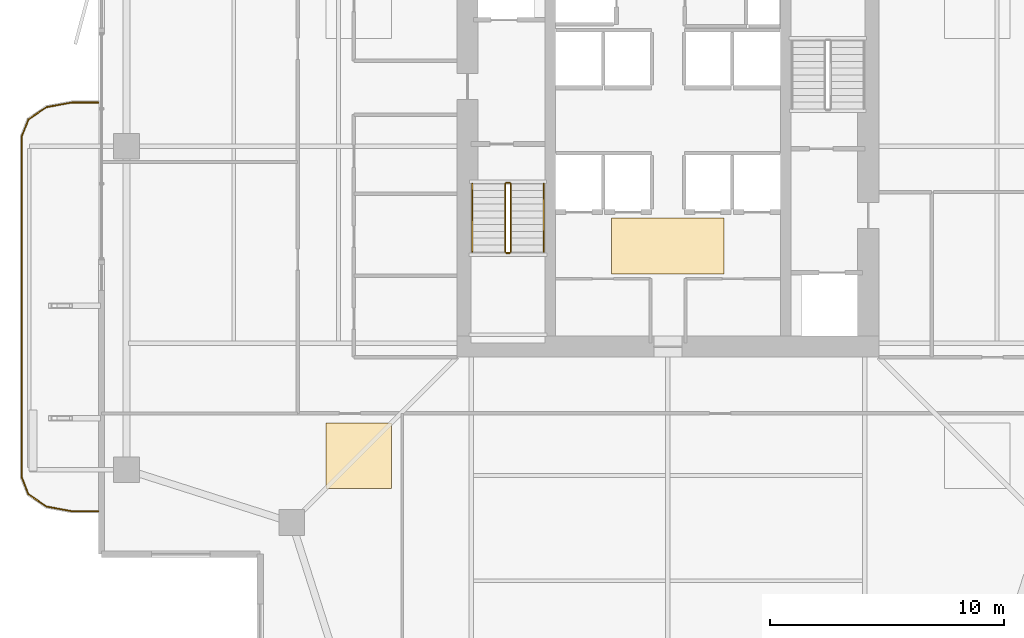
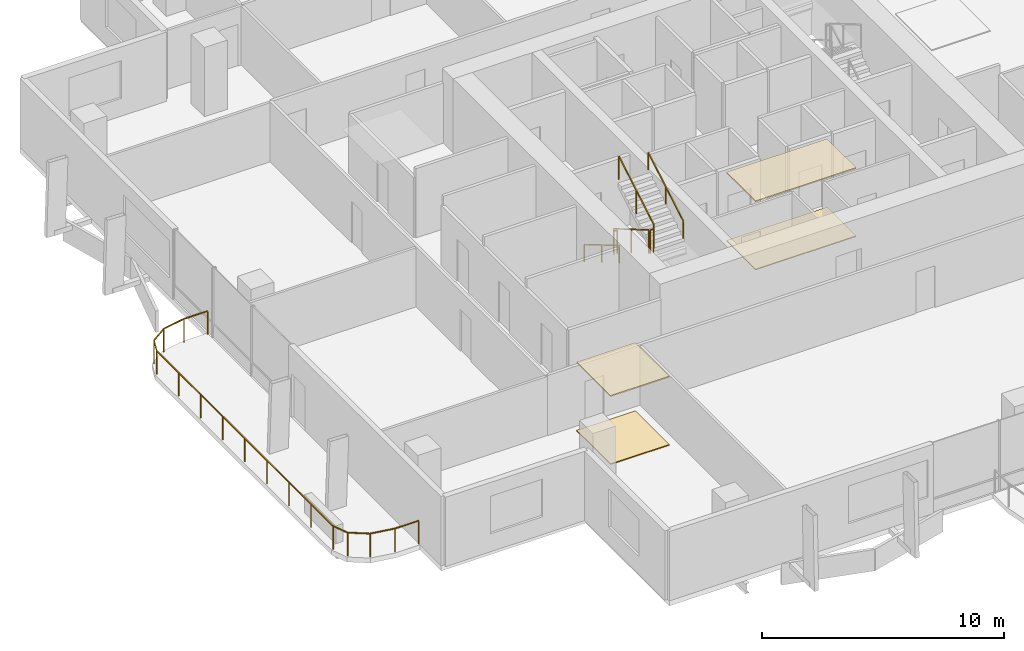
# One storey, part 22 of 24: 7 railings, 4 coverings.
"""IFC4 building model written with IfcOpenShell, lengths in metres."""

from ifc_helpers import new_model, si_unit, direction, frame, origin, origin_2d, place, context, subcontext, project, spatial, polyline, rectangle, outline, extrude, material, layer, layer_set, type_object, element, save


model = new_model("IFC4")

# Units and contexts
model_context = context("Model", 3, precision=1e-05, world=origin(), true_north=direction((0.0, 1.0)))
body_context = subcontext(model_context, "Body", "Model", "MODEL_VIEW")
ifc_project = project(units=[si_unit("LENGTHUNIT", "METRE"), si_unit("AREAUNIT", "SQUARE_METRE"), si_unit("VOLUMEUNIT", "CUBIC_METRE"), si_unit("PLANEANGLEUNIT", "RADIAN"), si_unit("MASSUNIT", "GRAM", prefix="KILO")], contexts=[model_context])

# Site, building, storey
site_placement = place(None, origin())
site = spatial("IfcSite", under=ifc_project, at=site_placement, CompositionType="ELEMENT")
building_placement = place(site_placement, origin())
building = spatial("IfcBuilding", under=site, at=building_placement, Name="Belovzor Exchange Tower", CompositionType="ELEMENT")
storey_placement = place(building_placement, frame((0.0, 0.0, 145.800048828125)))
storey = spatial("IfcBuildingStorey", under=building, at=storey_placement, Name="L35", CompositionType="ELEMENT", Elevation=145.800048828125)

# Railings
ifc_material_1 = material(Name="Stainless Steel Grade 304", Category="steel")
railing_type_1 = type_object("IfcRailingType", Name="Brushed Stainless Steel Stair Handrail 900", PredefinedType="HANDRAIL", material=ifc_material_1)
railing_1_placement = place(storey_placement, frame((20.449951171875, 27.199951171875, 0.17041015625)))
element("IfcRailing", 1, at=railing_1_placement, inside=storey, type_object=railing_type_1, Name="L35 ST-1 stair handrail 1", PredefinedType="HANDRAIL", context=body_context, shape_type="SweptSolid", body=[
    extrude(rectangle(XDim=0.048095703125, YDim=0.048095703125, at=origin_2d()), frame((0.0, 0.0, 0.8759765625), z_axis=(0.0, -0.86209462966, 0.506747323142), x_axis=(1.0, 0.0, 0.0)), (0.0, 0.0, 1.0), 3.36376953125),
    extrude(rectangle(XDim=0.0419921875, YDim=0.0419921875, at=origin_2d()), origin(), (0.0, 0.0, 1.0), 0.851806640625),
    extrude(rectangle(XDim=0.0419921875, YDim=0.0419921875, at=origin_2d()), frame((0.0, -1.449951171875, 0.852294921875)), (0.0, 0.0, 1.0), 0.851806640625),
    extrude(rectangle(XDim=0.0419921875, YDim=0.0419921875, at=origin_2d()), frame((0.0, -2.89990234375, 1.70458984375)), (0.0, 0.0, 1.0), 0.851806640625),
])
railing_2_placement = place(storey_placement, frame((23.5, 24.300048828125, 2.04541015625)))
element("IfcRailing", 2, at=railing_2_placement, inside=storey, type_object=railing_type_1, Name="L35 ST-1 stair handrail 2", PredefinedType="HANDRAIL", context=body_context, shape_type="SweptSolid", body=[
    extrude(rectangle(XDim=0.048095703125, YDim=0.048095703125, at=origin_2d()), frame((0.0, 0.0, 0.8759765625), z_axis=(0.0, 0.86209462966, 0.506747323142), x_axis=(-1.0, 0.0, 0.0)), (0.0, 0.0, 1.0), 3.36376953125),
    extrude(rectangle(XDim=0.0419921875, YDim=0.0419921875, at=origin_2d()), origin(), (0.0, 0.0, 1.0), 0.851806640625),
    extrude(rectangle(XDim=0.0419921875, YDim=0.0419921875, at=origin_2d()), frame((0.0, 1.449951171875, 0.852294921875)), (0.0, 0.0, 1.0), 0.851806640625),
    extrude(rectangle(XDim=0.0419921875, YDim=0.0419921875, at=origin_2d()), frame((0.0, 2.89990234375, 1.70458984375)), (0.0, 0.0, 1.0), 0.851806640625),
])
ifc_material_2 = material(Name="Stainless Steel and Laminated Safety Glass", Category="steel")
railing_type_2 = type_object("IfcRailingType", Name="Laminated Glass & Stainless Steel Balcony Balustrade 1200", PredefinedType="BALUSTRADE", material=ifc_material_2)
railing_3_placement = place(storey_placement, frame((4.489990234375, 30.669921875, 0.0)))
element("IfcRailing", 3, at=railing_3_placement, inside=storey, type_object=railing_type_2, Name="GR-1 Balcony Balustrade L35 West", PredefinedType="BALUSTRADE", context=body_context, shape_type="SweptSolid", body=[
    extrude(rectangle(XDim=0.048095703125, YDim=0.048095703125, at=origin_2d()), frame((0.0, 0.0, 1.17578125), z_axis=(-1.0, 0.0, 0.0), x_axis=(0.0, -1.0, 0.0)), (0.0, 0.0, 1.0), 1.133056640625),
    extrude(rectangle(XDim=0.048095703125, YDim=0.048095703125, at=origin_2d()), frame((-1.133056640625, 0.0, 1.17578125), z_axis=(-0.983644145941, -0.180122719713, 0.0), x_axis=(0.180122719713, -0.983644145941, 0.0)), (0.0, 0.0, 1.0), 1.09375),
    extrude(rectangle(XDim=0.048095703125, YDim=0.048095703125, at=origin_2d()), frame((-2.208984375, -0.197021484375, 1.17578125), z_axis=(-0.826614792125, -0.562768145367, 0.0), x_axis=(0.562768145367, -0.826614792125, 0.0)), (0.0, 0.0, 1.0), 0.9326171875),
    extrude(rectangle(XDim=0.048095703125, YDim=0.048095703125, at=origin_2d()), frame((-2.97998046875, -0.721923828125, 1.17578125), z_axis=(-0.365612923861, -0.930766990125, 0.0), x_axis=(0.930766990125, -0.365612923861, 0.0)), (0.0, 0.0, 1.0), 0.765869140625),
    extrude(rectangle(XDim=0.048095703125, YDim=0.048095703125, at=origin_2d()), frame((-3.260009765625, -1.434814453125, 1.17578125), z_axis=(0.0, -1.0, 0.0), x_axis=(1.0, 0.0, 0.0)), (0.0, 0.0, 1.0), 14.570068359375),
    extrude(rectangle(XDim=0.048095703125, YDim=0.048095703125, at=origin_2d()), frame((-3.260009765625, -16.0048828125, 1.17578125), z_axis=(0.365504480807, -0.930809580156, 0.0), x_axis=(0.930809580156, 0.365504480807, 0.0)), (0.0, 0.0, 1.0), 0.76611328125),
    extrude(rectangle(XDim=0.048095703125, YDim=0.048095703125, at=origin_2d()), frame((-2.97998046875, -16.718017578125, 1.17578125), z_axis=(0.826614792125, -0.562768145367, 0.0), x_axis=(0.562768145367, 0.826614792125, 0.0)), (0.0, 0.0, 1.0), 0.9326171875),
    extrude(rectangle(XDim=0.048095703125, YDim=0.048095703125, at=origin_2d()), frame((-2.208984375, -17.242919921875, 1.17578125), z_axis=(0.983644145941, -0.180122719713, 0.0), x_axis=(0.180122719713, 0.983644145941, 0.0)), (0.0, 0.0, 1.0), 1.09375),
    extrude(rectangle(XDim=0.048095703125, YDim=0.048095703125, at=origin_2d()), frame((-1.133056640625, -17.43994140625, 1.17578125), z_axis=(1.0, 0.0, 0.0), x_axis=(0.0, 1.0, 0.0)), (0.0, 0.0, 1.0), 1.133056640625),
    extrude(rectangle(XDim=0.0419921875, YDim=0.0419921875, at=origin_2d()), origin(), (0.0, 0.0, 1.0), 1.15185546875),
    extrude(rectangle(XDim=0.0419921875, YDim=0.0419921875, at=origin_2d()), frame((-1.133056640625, 0.0, 0.0)), (0.0, 0.0, 1.0), 1.15185546875),
    extrude(rectangle(XDim=0.0419921875, YDim=0.0419921875, at=origin_2d()), frame((-2.208984375, -0.197021484375, 0.0)), (0.0, 0.0, 1.0), 1.15185546875),
    extrude(rectangle(XDim=0.0419921875, YDim=0.0419921875, at=origin_2d()), frame((-2.97998046875, -0.721923828125, 0.0)), (0.0, 0.0, 1.0), 1.15185546875),
    extrude(rectangle(XDim=0.0419921875, YDim=0.0419921875, at=origin_2d()), frame((-3.260009765625, -1.434814453125, 0.0)), (0.0, 0.0, 1.0), 1.15185546875),
    extrude(rectangle(XDim=0.0419921875, YDim=0.0419921875, at=origin_2d()), frame((-3.260009765625, -3.256103515625, 0.0)), (0.0, 0.0, 1.0), 1.15185546875),
    extrude(rectangle(XDim=0.0419921875, YDim=0.0419921875, at=origin_2d()), frame((-3.260009765625, -5.077392578125, 0.0)), (0.0, 0.0, 1.0), 1.15185546875),
    extrude(rectangle(XDim=0.0419921875, YDim=0.0419921875, at=origin_2d()), frame((-3.260009765625, -6.898681640625, 0.0)), (0.0, 0.0, 1.0), 1.15185546875),
    extrude(rectangle(XDim=0.0419921875, YDim=0.0419921875, at=origin_2d()), frame((-3.260009765625, -8.7197265625, 0.0)), (0.0, 0.0, 1.0), 1.15185546875),
    extrude(rectangle(XDim=0.0419921875, YDim=0.0419921875, at=origin_2d()), frame((-3.260009765625, -10.541015625, 0.0)), (0.0, 0.0, 1.0), 1.15185546875),
    extrude(rectangle(XDim=0.0419921875, YDim=0.0419921875, at=origin_2d()), frame((-3.260009765625, -12.3623046875, 0.0)), (0.0, 0.0, 1.0), 1.15185546875),
    extrude(rectangle(XDim=0.0419921875, YDim=0.0419921875, at=origin_2d()), frame((-3.260009765625, -14.18359375, 0.0)), (0.0, 0.0, 1.0), 1.15185546875),
    extrude(rectangle(XDim=0.0419921875, YDim=0.0419921875, at=origin_2d()), frame((-3.260009765625, -16.0048828125, 0.0)), (0.0, 0.0, 1.0), 1.15185546875),
    extrude(rectangle(XDim=0.0419921875, YDim=0.0419921875, at=origin_2d()), frame((-2.97998046875, -16.718017578125, 0.0)), (0.0, 0.0, 1.0), 1.15185546875),
    extrude(rectangle(XDim=0.0419921875, YDim=0.0419921875, at=origin_2d()), frame((-2.208984375, -17.242919921875, 0.0)), (0.0, 0.0, 1.0), 1.15185546875),
    extrude(rectangle(XDim=0.0419921875, YDim=0.0419921875, at=origin_2d()), frame((-1.133056640625, -17.43994140625, 0.0)), (0.0, 0.0, 1.0), 1.15185546875),
    extrude(rectangle(XDim=0.0419921875, YDim=0.0419921875, at=origin_2d()), frame((0.0, -17.43994140625, 0.0)), (0.0, 0.0, 1.0), 1.15185546875),
])
ifc_material_3 = material(Name="Steel S355", Category="steel")
railing_type_3 = type_object("IfcRailingType", Name="Painted Steel Stairwell Guardrail 1200", PredefinedType="GUARDRAIL", material=ifc_material_3)
railing_4_placement = place(storey_placement, frame((21.85009765625, 27.199951171875, 0.17041015625)))
element("IfcRailing", 4, at=railing_4_placement, inside=storey, type_object=railing_type_3, Name="L35 ST-1 stair guard 1", PredefinedType="GUARDRAIL", context=body_context, shape_type="SweptSolid", body=[
    extrude(rectangle(XDim=0.048095703125, YDim=0.048095703125, at=origin_2d()), frame((0.0, 0.0, 1.17578125), z_axis=(0.0, -0.86209462966, 0.506747323142), x_axis=(1.0, 0.0, 0.0)), (0.0, 0.0, 1.0), 3.36376953125),
    extrude(rectangle(XDim=0.0419921875, YDim=0.0419921875, at=origin_2d()), origin(), (0.0, 0.0, 1.0), 1.15185546875),
    extrude(rectangle(XDim=0.0419921875, YDim=0.0419921875, at=origin_2d()), frame((0.0, -1.449951171875, 0.852294921875)), (0.0, 0.0, 1.0), 1.15185546875),
    extrude(rectangle(XDim=0.0419921875, YDim=0.0419921875, at=origin_2d()), frame((0.0, -2.89990234375, 1.70458984375)), (0.0, 0.0, 1.0), 1.15185546875),
])
railing_5_placement = place(storey_placement, frame((21.89990234375, 24.25, 1.875)))
element("IfcRailing", 5, at=railing_5_placement, inside=storey, type_object=railing_type_3, Name="L35 ST-1 stair guard 2", PredefinedType="GUARDRAIL", context=body_context, shape_type="SweptSolid", body=[
    extrude(rectangle(XDim=0.048095703125, YDim=0.048095703125, at=origin_2d()), frame((0.0, 0.0, 1.17578125), z_axis=(1.0, 0.0, 0.0), x_axis=(0.0, 1.0, 0.0)), (0.0, 0.0, 1.0), 0.150146484375),
    extrude(rectangle(XDim=0.0419921875, YDim=0.0419921875, at=origin_2d()), origin(), (0.0, 0.0, 1.0), 1.15185546875),
    extrude(rectangle(XDim=0.0419921875, YDim=0.0419921875, at=origin_2d()), frame((0.150146484375, 0.0, 0.0)), (0.0, 0.0, 1.0), 1.15185546875),
])
railing_6_placement = place(storey_placement, frame((22.10009765625, 24.300048828125, 2.04541015625)))
element("IfcRailing", 6, at=railing_6_placement, inside=storey, type_object=railing_type_3, Name="L35 ST-1 stair guard 3", PredefinedType="GUARDRAIL", context=body_context, shape_type="SweptSolid", body=[
    extrude(rectangle(XDim=0.048095703125, YDim=0.048095703125, at=origin_2d()), frame((0.0, 0.0, 1.17578125), z_axis=(0.0, 0.86209462966, 0.506747323142), x_axis=(-1.0, 0.0, 0.0)), (0.0, 0.0, 1.0), 3.36376953125),
    extrude(rectangle(XDim=0.0419921875, YDim=0.0419921875, at=origin_2d()), origin(), (0.0, 0.0, 1.0), 1.15185546875),
    extrude(rectangle(XDim=0.0419921875, YDim=0.0419921875, at=origin_2d()), frame((0.0, 1.449951171875, 0.852294921875)), (0.0, 0.0, 1.0), 1.15185546875),
    extrude(rectangle(XDim=0.0419921875, YDim=0.0419921875, at=origin_2d()), frame((0.0, 2.89990234375, 1.70458984375)), (0.0, 0.0, 1.0), 1.15185546875),
])
railing_7_placement = place(storey_placement, frame((21.89990234375, 27.25, 0.0)))
element("IfcRailing", 7, at=railing_7_placement, inside=storey, type_object=railing_type_3, Name="L35 ST-1 stair guard 4", PredefinedType="GUARDRAIL", context=body_context, shape_type="SweptSolid", body=[
    extrude(rectangle(XDim=0.048095703125, YDim=0.048095703125, at=origin_2d()), frame((0.0, 0.0, 1.17578125), z_axis=(1.0, 0.0, 0.0), x_axis=(0.0, 1.0, 0.0)), (0.0, 0.0, 1.0), 0.150146484375),
    extrude(rectangle(XDim=0.0419921875, YDim=0.0419921875, at=origin_2d()), origin(), (0.0, 0.0, 1.0), 1.15185546875),
    extrude(rectangle(XDim=0.0419921875, YDim=0.0419921875, at=origin_2d()), frame((0.150146484375, 0.0, 0.0)), (0.0, 0.0, 1.0), 1.15185546875),
])

# Coverings
ifc_material_4 = material(Name="Perforated Powder-Coated Aluminium", Category="aluminium")
ifc_layer_1 = layer(ifc_material_4, 0.06005859375)
ifc_layer_set_1 = layer_set([ifc_layer_1], Name="Perforated Powder-Coated Aluminium")
covering_type_1 = type_object("IfcCoveringType", Name="Perforated Acoustic Metal Tile Suspended Ceiling 60", PredefinedType="CEILING", material=ifc_layer_set_1)
covering_1_placement = place(storey_placement, frame((0.0, 0.0, 3.43505859375)))
element("IfcCovering", 8, at=covering_1_placement, inside=storey, type_object=covering_type_1, Name="CLG-AC60 Suspended Ceiling CLG-L35-LOB", PredefinedType="CEILING", context=body_context, shape_type="SweptSolid", body=[
    extrude(outline(polyline([(26.39990234375, 23.35009765625), (31.199951171875, 23.35009765625), (31.199951171875, 25.75), (26.39990234375, 25.75), (26.39990234375, 23.35009765625)])), origin(), (0.0, 0.0, 1.0), 0.059814453125),
])
covering_2_placement = place(storey_placement, frame((0.0, 0.0, 3.43505859375)))
element("IfcCovering", 9, at=covering_2_placement, inside=storey, type_object=covering_type_1, Name="CLG-AC60 Suspended Ceiling CLG-L35-Z0", PredefinedType="CEILING", context=body_context, shape_type="SweptSolid", body=[
    extrude(outline(polyline([(14.199951171875, 14.199951171875), (17.0, 14.199951171875), (17.0, 17.0), (14.199951171875, 17.0), (14.199951171875, 14.199951171875)])), origin(), (0.0, 0.0, 1.0), 0.059814453125),
])
ifc_material_5 = material(Name="Polished Natural Granite Tile", Category="masonry")
ifc_layer_2 = layer(ifc_material_5, 0.050048828125)
ifc_layer_set_2 = layer_set([ifc_layer_2], Name="Polished Natural Granite Tile")
covering_type_2 = type_object("IfcCoveringType", Name="Polished Karelian Granite & Raised Access Floor Finish 50", PredefinedType="FLOORING", material=ifc_layer_set_2)
covering_3_placement = place(storey_placement, origin())
element("IfcCovering", 10, at=covering_3_placement, inside=storey, type_object=covering_type_2, Name="FLR-GR50 Floor Finish FLR-L35-LOB", PredefinedType="FLOORING", context=body_context, shape_type="SweptSolid", body=[
    extrude(outline(polyline([(26.39990234375, 23.35009765625), (31.199951171875, 23.35009765625), (31.199951171875, 25.75), (26.39990234375, 25.75), (26.39990234375, 23.35009765625)])), origin(), (0.0, 0.0, 1.0), 0.050048828125),
])
covering_4_placement = place(storey_placement, origin())
element("IfcCovering", 11, at=covering_4_placement, inside=storey, type_object=covering_type_2, Name="FLR-GR50 Floor Finish FLR-L35-Z0", PredefinedType="FLOORING", context=body_context, shape_type="SweptSolid", body=[
    extrude(outline(polyline([(14.199951171875, 14.199951171875), (17.0, 14.199951171875), (17.0, 17.0), (14.199951171875, 17.0), (14.199951171875, 14.199951171875)])), origin(), (0.0, 0.0, 1.0), 0.050048828125),
])

save(model, "model.ifc")
